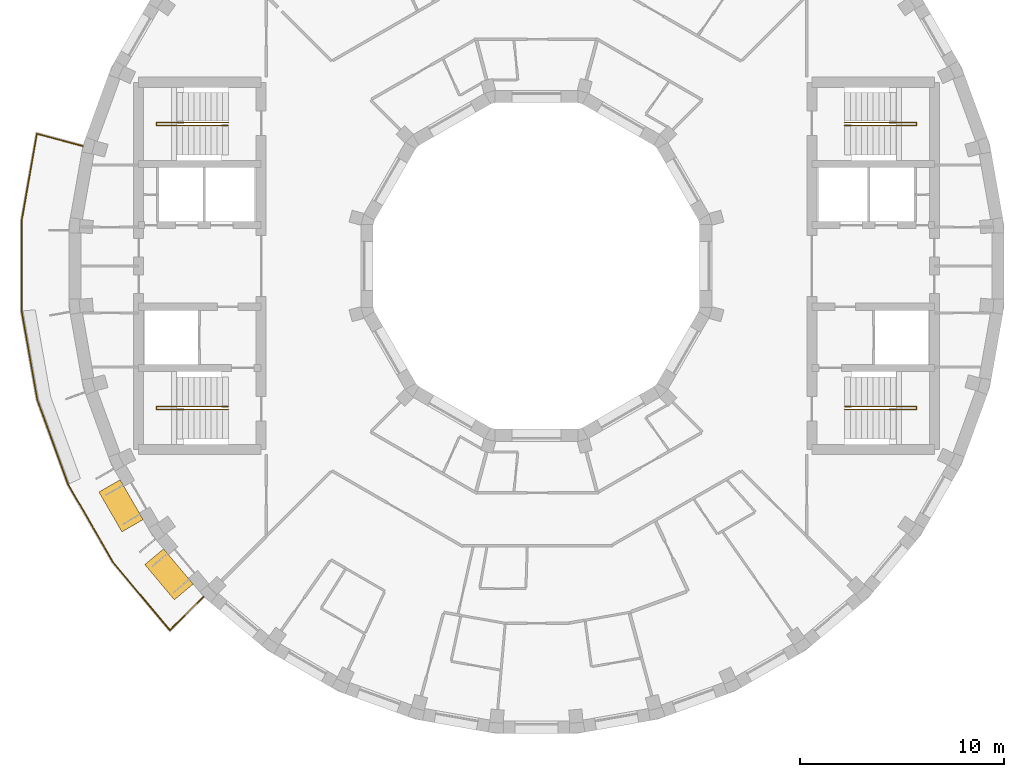
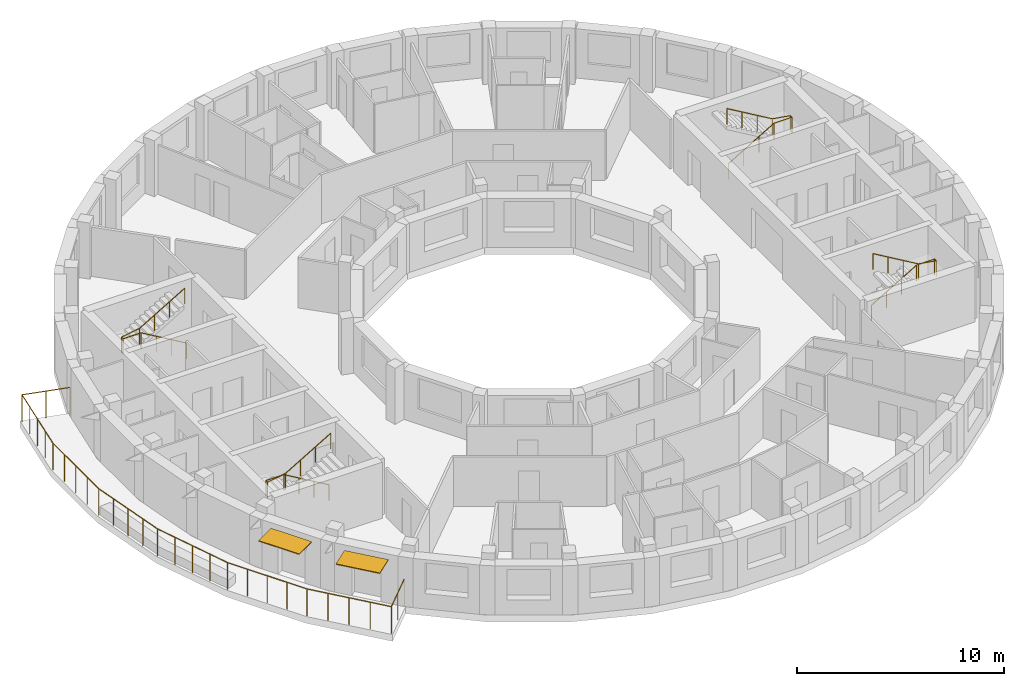
# One storey, part 10 of 10: 5 railings, 2 shading devices.
"""IFC4 building model written with IfcOpenShell, lengths in metres."""

from ifc_helpers import new_model, si_unit, direction, frame, origin, origin_2d, place, context, subcontext, project, spatial, rectangle, circle, extrude, material, layer, layer_set, type_object, element, save


model = new_model("IFC4")

# Units and contexts
model_context = context("Model", 3, precision=1e-05, world=origin(), true_north=direction((0.0, 1.0)))
body_context = subcontext(model_context, "Body", "Model", "MODEL_VIEW")
ifc_project = project(units=[si_unit("LENGTHUNIT", "METRE"), si_unit("AREAUNIT", "SQUARE_METRE"), si_unit("VOLUMEUNIT", "CUBIC_METRE"), si_unit("PLANEANGLEUNIT", "RADIAN"), si_unit("MASSUNIT", "GRAM", prefix="KILO")], contexts=[model_context])

# Site, building, storey
site_placement = place(None, origin())
site = spatial("IfcSite", under=ifc_project, at=site_placement, CompositionType="ELEMENT")
building_placement = place(site_placement, origin())
building = spatial("IfcBuilding", under=site, at=building_placement, Name="Saqina Gate Tower", CompositionType="ELEMENT")
storey_placement = place(building_placement, frame((0.0, 0.0, 252.800048828125)))
storey = spatial("IfcBuildingStorey", under=building, at=storey_placement, Name="L72", CompositionType="ELEMENT", Elevation=252.800048828125)

# Shading devices
ifc_material_1 = material(Name="Aluminium and fabric awning", Category="aluminium")
ifc_layer = layer(ifc_material_1, 0.050048828125)
ifc_layer_set = layer_set([ifc_layer], Name="AW-TERRACE")
shading_device_type = type_object("IfcShadingDeviceType", Name="AW-TERRACE", PredefinedType="AWNING", material=ifc_layer_set)
for number, where, z_axis, x_axis, name in (
    (1, (-20.3623046875, -11.756103515625, 2.52490234375), (0.0, 0.0, 1.0), (0.5, -0.866025403784, 0.0), "Terrace awning L72 facet 21"),
    (2, (-18.01171875, -15.113525390625, 2.52490234375), (0.0, 0.0, 1.0), (0.642787609687, -0.766044443119, 0.0), "Terrace awning L72 facet 22"),
):
    element("IfcShadingDevice", number, at=place(storey_placement, frame(where, z_axis=z_axis, x_axis=x_axis)), inside=storey, type_object=shading_device_type, Name=name, PredefinedType="AWNING", context=body_context, shape_type="SweptSolid", body=[
        extrude(rectangle(XDim=2.251708984375, YDim=1.199951171875, at=origin_2d()), origin(), (0.0, 0.0, 1.0), 0.050048828125),
    ])

# Railings
ifc_material_2 = material(Name="Stainless steel", Category="steel")
railing_type_1 = type_object("IfcRailingType", Name="RL-TERRACE", PredefinedType="GUARDRAIL", material=ifc_material_2)
railing_1_placement = place(storey_placement, frame((-22.178955078125, 5.860107421875, 0.0)))
element("IfcRailing", 3, at=railing_1_placement, inside=storey, type_object=railing_type_1, Name="Terrace guard L72", PredefinedType="GUARDRAIL", context=body_context, shape_type="SweptSolid", body=[
    extrude(circle(Radius=0.02392578125, at=origin_2d()), frame((0.0, 0.0, 1.576171875), z_axis=(-0.96594257821, 0.258756517988, 0.0), x_axis=(-0.258756517988, -0.96594257821, 0.0)), (0.0, 0.0, 1.0), 2.388916015625),
    extrude(circle(Radius=0.02392578125, at=origin_2d()), frame((-2.3076171875, 0.6181640625, 1.576171875), z_axis=(-0.172037454969, -0.985090409093, 0.0), x_axis=(0.985090409093, -0.172037454969, 0.0)), (0.0, 0.0, 1.0), 4.33544921875),
    extrude(circle(Radius=0.02392578125, at=origin_2d()), frame((-3.053466796875, -3.652587890625, 1.576171875), z_axis=(0.0, -1.0, 0.0), x_axis=(1.0, 0.0, 0.0)), (0.0, 0.0, 1.0), 4.4150390625),
    extrude(circle(Radius=0.02392578125, at=origin_2d()), frame((-3.053466796875, -8.067626953125, 1.576171875), z_axis=(0.173627609853, -0.984811379451, 0.0), x_axis=(0.984811379451, 0.173627609853, 0.0)), (0.0, 0.0, 1.0), 4.415283203125),
    extrude(circle(Radius=0.02392578125, at=origin_2d()), frame((-2.286865234375, -12.415771484375, 1.576171875), z_axis=(0.342022770825, -0.93969166445, 0.0), x_axis=(0.93969166445, 0.342022770825, 0.0)), (0.0, 0.0, 1.0), 4.4150390625),
    extrude(circle(Radius=0.02392578125, at=origin_2d()), frame((-0.77685546875, -16.564453125, 1.576171875), z_axis=(0.49998092645, -0.866036415623, 0.0), x_axis=(0.866036415623, 0.49998092645, 0.0)), (0.0, 0.0, 1.0), 4.415283203125),
    extrude(circle(Radius=0.02392578125, at=origin_2d()), frame((1.4306640625, -20.38818359375, 1.576171875), z_axis=(0.641584720745, -0.76705217952, 0.0), x_axis=(0.76705217952, 0.641584720745, 0.0)), (0.0, 0.0, 1.0), 4.33544921875),
    extrude(circle(Radius=0.02392578125, at=origin_2d()), frame((4.212158203125, -23.713623046875, 1.576171875), z_axis=(0.707157881947, 0.707055676733, 0.0), x_axis=(-0.707055676733, 0.707157881947, 0.0)), (0.0, 0.0, 1.0), 2.388671875),
    extrude(circle(Radius=0.02099609375, at=origin_2d()), origin(), (0.0, 0.0, 1.0), 1.552001953125),
    extrude(circle(Radius=0.02099609375, at=origin_2d()), frame((-1.15380859375, 0.30908203125, 0.0)), (0.0, 0.0, 1.0), 1.552001953125),
    extrude(circle(Radius=0.02099609375, at=origin_2d()), frame((-2.3076171875, 0.6181640625, 0.0)), (0.0, 0.0, 1.0), 1.552001953125),
    extrude(circle(Radius=0.02099609375, at=origin_2d()), frame((-2.494140625, -0.449462890625, 0.0)), (0.0, 0.0, 1.0), 1.552001953125),
    extrude(circle(Radius=0.02099609375, at=origin_2d()), frame((-2.6806640625, -1.51708984375, 0.0)), (0.0, 0.0, 1.0), 1.552001953125),
    extrude(circle(Radius=0.02099609375, at=origin_2d()), frame((-2.866943359375, -2.5849609375, 0.0)), (0.0, 0.0, 1.0), 1.552001953125),
    extrude(circle(Radius=0.02099609375, at=origin_2d()), frame((-3.053466796875, -3.652587890625, 0.0)), (0.0, 0.0, 1.0), 1.552001953125),
    extrude(circle(Radius=0.02099609375, at=origin_2d()), frame((-3.053466796875, -4.75634765625, 0.0)), (0.0, 0.0, 1.0), 1.552001953125),
    extrude(circle(Radius=0.02099609375, at=origin_2d()), frame((-3.053466796875, -5.860107421875, 0.0)), (0.0, 0.0, 1.0), 1.552001953125),
    extrude(circle(Radius=0.02099609375, at=origin_2d()), frame((-3.053466796875, -6.9638671875, 0.0)), (0.0, 0.0, 1.0), 1.552001953125),
    extrude(circle(Radius=0.02099609375, at=origin_2d()), frame((-3.053466796875, -8.067626953125, 0.0)), (0.0, 0.0, 1.0), 1.552001953125),
    extrude(circle(Radius=0.02099609375, at=origin_2d()), frame((-2.86181640625, -9.15478515625, 0.0)), (0.0, 0.0, 1.0), 1.552001953125),
    extrude(circle(Radius=0.02099609375, at=origin_2d()), frame((-2.670166015625, -10.24169921875, 0.0)), (0.0, 0.0, 1.0), 1.552001953125),
    extrude(circle(Radius=0.02099609375, at=origin_2d()), frame((-2.478515625, -11.32861328125, 0.0)), (0.0, 0.0, 1.0), 1.552001953125),
    extrude(circle(Radius=0.02099609375, at=origin_2d()), frame((-2.286865234375, -12.415771484375, 0.0)), (0.0, 0.0, 1.0), 1.552001953125),
    extrude(circle(Radius=0.02099609375, at=origin_2d()), frame((-1.909423828125, -13.452880859375, 0.0)), (0.0, 0.0, 1.0), 1.552001953125),
    extrude(circle(Radius=0.02099609375, at=origin_2d()), frame((-1.53173828125, -14.490234375, 0.0)), (0.0, 0.0, 1.0), 1.552001953125),
    extrude(circle(Radius=0.02099609375, at=origin_2d()), frame((-1.154296875, -15.52734375, 0.0)), (0.0, 0.0, 1.0), 1.552001953125),
    extrude(circle(Radius=0.02099609375, at=origin_2d()), frame((-0.77685546875, -16.564453125, 0.0)), (0.0, 0.0, 1.0), 1.552001953125),
    extrude(circle(Radius=0.02099609375, at=origin_2d()), frame((-0.22509765625, -17.5205078125, 0.0)), (0.0, 0.0, 1.0), 1.552001953125),
    extrude(circle(Radius=0.02099609375, at=origin_2d()), frame((0.326904296875, -18.476318359375, 0.0)), (0.0, 0.0, 1.0), 1.552001953125),
    extrude(circle(Radius=0.02099609375, at=origin_2d()), frame((0.87890625, -19.43212890625, 0.0)), (0.0, 0.0, 1.0), 1.552001953125),
    extrude(circle(Radius=0.02099609375, at=origin_2d()), frame((1.4306640625, -20.38818359375, 0.0)), (0.0, 0.0, 1.0), 1.552001953125),
    extrude(circle(Radius=0.02099609375, at=origin_2d()), frame((2.1259765625, -21.219482421875, 0.0)), (0.0, 0.0, 1.0), 1.552001953125),
    extrude(circle(Radius=0.02099609375, at=origin_2d()), frame((2.8212890625, -22.05078125, 0.0)), (0.0, 0.0, 1.0), 1.552001953125),
    extrude(circle(Radius=0.02099609375, at=origin_2d()), frame((3.516845703125, -22.88232421875, 0.0)), (0.0, 0.0, 1.0), 1.552001953125),
    extrude(circle(Radius=0.02099609375, at=origin_2d()), frame((4.212158203125, -23.713623046875, 0.0)), (0.0, 0.0, 1.0), 1.552001953125),
    extrude(circle(Radius=0.02099609375, at=origin_2d()), frame((5.056640625, -22.869140625, 0.0)), (0.0, 0.0, 1.0), 1.552001953125),
    extrude(circle(Radius=0.02099609375, at=origin_2d()), frame((5.9013671875, -22.024658203125, 0.0)), (0.0, 0.0, 1.0), 1.552001953125),
])
ifc_material_3 = material(Name="Stainless steel", Category="steel")
railing_type_2 = type_object("IfcRailingType", Name="STAIR HANDRAIL", PredefinedType="HANDRAIL", material=ifc_material_3)
railing_2_placement = place(storey_placement, frame((15.10009765625, 6.88330078125, 0.1650390625)))
element("IfcRailing", 4, at=railing_2_placement, inside=storey, type_object=railing_type_2, Name="EXIT STAIR 1 HANDRAIL", PredefinedType="HANDRAIL", context=body_context, shape_type="SweptSolid", body=[
    extrude(circle(Radius=0.02392578125, at=origin_2d()), frame((0.0, 0.0, 0.92578125), z_axis=(0.861560626758, 0.0, 0.507654692109), x_axis=(0.0, 1.0, 0.0)), (0.0, 0.0, 1.0), 2.925048828125),
    extrude(circle(Radius=0.02392578125, at=origin_2d()), frame((2.52001953125, 0.0, 2.41064453125), z_axis=(1.0, 0.0, 0.0), x_axis=(0.0, 1.0, 0.0)), (0.0, 0.0, 1.0), 1.0),
    extrude(circle(Radius=0.02392578125, at=origin_2d()), frame((3.52001953125, 0.0, 2.41064453125), z_axis=(0.0, 1.0, 0.0), x_axis=(-1.0, 0.0, 0.0)), (0.0, 0.0, 1.0), 0.158447265625),
    extrude(circle(Radius=0.02392578125, at=origin_2d()), frame((3.52001953125, 0.158447265625, 2.41064453125), z_axis=(-0.98665309941, 0.0, 0.162836302539), x_axis=(0.0, -1.0, 0.0)), (0.0, 0.0, 1.0), 1.013427734375),
    extrude(circle(Radius=0.02392578125, at=origin_2d()), frame((2.52001953125, 0.158447265625, 2.57568359375), z_axis=(-0.86152411907, 0.0, 0.507716645641), x_axis=(0.0, -1.0, 0.0)), (0.0, 0.0, 1.0), 2.925048828125),
    extrude(circle(Radius=0.02099609375, at=origin_2d()), origin(), (0.0, 0.0, 1.0), 0.90185546875),
    extrude(circle(Radius=0.02099609375, at=origin_2d()), frame((0.840087890625, 0.0, 0.494873046875)), (0.0, 0.0, 1.0), 0.90185546875),
    extrude(circle(Radius=0.02099609375, at=origin_2d()), frame((1.679931640625, 0.0, 0.989990234375)), (0.0, 0.0, 1.0), 0.90185546875),
    extrude(circle(Radius=0.02099609375, at=origin_2d()), frame((2.52001953125, 0.0, 1.48486328125)), (0.0, 0.0, 1.0), 0.90185546875),
    extrude(circle(Radius=0.02099609375, at=origin_2d()), frame((3.52001953125, 0.0, 1.48486328125)), (0.0, 0.0, 1.0), 0.90185546875),
    extrude(circle(Radius=0.02099609375, at=origin_2d()), frame((3.52001953125, 0.158447265625, 1.48486328125)), (0.0, 0.0, 1.0), 0.90185546875),
    extrude(circle(Radius=0.02099609375, at=origin_2d()), frame((2.52001953125, 0.158447265625, 1.64990234375)), (0.0, 0.0, 1.0), 0.90185546875),
    extrude(circle(Radius=0.02099609375, at=origin_2d()), frame((1.679931640625, 0.158447265625, 2.14501953125)), (0.0, 0.0, 1.0), 0.90185546875),
    extrude(circle(Radius=0.02099609375, at=origin_2d()), frame((0.840087890625, 0.158447265625, 2.639892578125)), (0.0, 0.0, 1.0), 0.90185546875),
    extrude(circle(Radius=0.02099609375, at=origin_2d()), frame((0.0, 0.158447265625, 3.135009765625)), (0.0, 0.0, 1.0), 0.90185546875),
])
railing_3_placement = place(storey_placement, frame((15.10009765625, -6.88330078125, 0.1650390625)))
element("IfcRailing", 5, at=railing_3_placement, inside=storey, type_object=railing_type_2, Name="EXIT STAIR 2 HANDRAIL", PredefinedType="HANDRAIL", context=body_context, shape_type="SweptSolid", body=[
    extrude(circle(Radius=0.02392578125, at=origin_2d()), frame((0.0, 0.0, 0.92578125), z_axis=(0.861560626758, 0.0, 0.507654692109), x_axis=(0.0, 1.0, 0.0)), (0.0, 0.0, 1.0), 2.925048828125),
    extrude(circle(Radius=0.02392578125, at=origin_2d()), frame((2.52001953125, 0.0, 2.41064453125), z_axis=(1.0, 0.0, 0.0), x_axis=(0.0, 1.0, 0.0)), (0.0, 0.0, 1.0), 1.0),
    extrude(circle(Radius=0.02392578125, at=origin_2d()), frame((3.52001953125, 0.0, 2.41064453125), z_axis=(0.0, -1.0, 0.0), x_axis=(1.0, 0.0, 0.0)), (0.0, 0.0, 1.0), 0.158447265625),
    extrude(circle(Radius=0.02392578125, at=origin_2d()), frame((3.52001953125, -0.158447265625, 2.41064453125), z_axis=(-0.98665309941, 0.0, 0.162836302539), x_axis=(0.0, -1.0, 0.0)), (0.0, 0.0, 1.0), 1.013427734375),
    extrude(circle(Radius=0.02392578125, at=origin_2d()), frame((2.52001953125, -0.158447265625, 2.57568359375), z_axis=(-0.86152411907, 0.0, 0.507716645641), x_axis=(0.0, -1.0, 0.0)), (0.0, 0.0, 1.0), 2.925048828125),
    extrude(circle(Radius=0.02099609375, at=origin_2d()), origin(), (0.0, 0.0, 1.0), 0.90185546875),
    extrude(circle(Radius=0.02099609375, at=origin_2d()), frame((0.840087890625, 0.0, 0.494873046875)), (0.0, 0.0, 1.0), 0.90185546875),
    extrude(circle(Radius=0.02099609375, at=origin_2d()), frame((1.679931640625, 0.0, 0.989990234375)), (0.0, 0.0, 1.0), 0.90185546875),
    extrude(circle(Radius=0.02099609375, at=origin_2d()), frame((2.52001953125, 0.0, 1.48486328125)), (0.0, 0.0, 1.0), 0.90185546875),
    extrude(circle(Radius=0.02099609375, at=origin_2d()), frame((3.52001953125, 0.0, 1.48486328125)), (0.0, 0.0, 1.0), 0.90185546875),
    extrude(circle(Radius=0.02099609375, at=origin_2d()), frame((3.52001953125, -0.158447265625, 1.48486328125)), (0.0, 0.0, 1.0), 0.90185546875),
    extrude(circle(Radius=0.02099609375, at=origin_2d()), frame((2.52001953125, -0.158447265625, 1.64990234375)), (0.0, 0.0, 1.0), 0.90185546875),
    extrude(circle(Radius=0.02099609375, at=origin_2d()), frame((1.679931640625, -0.158447265625, 2.14501953125)), (0.0, 0.0, 1.0), 0.90185546875),
    extrude(circle(Radius=0.02099609375, at=origin_2d()), frame((0.840087890625, -0.158447265625, 2.639892578125)), (0.0, 0.0, 1.0), 0.90185546875),
    extrude(circle(Radius=0.02099609375, at=origin_2d()), frame((0.0, -0.158447265625, 3.135009765625)), (0.0, 0.0, 1.0), 0.90185546875),
])
railing_4_placement = place(storey_placement, frame((-15.10009765625, 6.88330078125, 0.1650390625)))
element("IfcRailing", 6, at=railing_4_placement, inside=storey, type_object=railing_type_2, Name="EXIT STAIR 3 HANDRAIL", PredefinedType="HANDRAIL", context=body_context, shape_type="SweptSolid", body=[
    extrude(circle(Radius=0.02392578125, at=origin_2d()), frame((0.0, 0.0, 0.92578125), z_axis=(-0.861560626758, 0.0, 0.507654692109), x_axis=(0.0, -1.0, 0.0)), (0.0, 0.0, 1.0), 2.925048828125),
    extrude(circle(Radius=0.02392578125, at=origin_2d()), frame((-2.52001953125, 0.0, 2.41064453125), z_axis=(-1.0, 0.0, 0.0), x_axis=(0.0, -1.0, 0.0)), (0.0, 0.0, 1.0), 1.0),
    extrude(circle(Radius=0.02392578125, at=origin_2d()), frame((-3.52001953125, 0.0, 2.41064453125), z_axis=(0.0, 1.0, 0.0), x_axis=(-1.0, 0.0, 0.0)), (0.0, 0.0, 1.0), 0.158447265625),
    extrude(circle(Radius=0.02392578125, at=origin_2d()), frame((-3.52001953125, 0.158447265625, 2.41064453125), z_axis=(0.98665309941, 0.0, 0.162836302539), x_axis=(0.0, 1.0, 0.0)), (0.0, 0.0, 1.0), 1.013427734375),
    extrude(circle(Radius=0.02392578125, at=origin_2d()), frame((-2.52001953125, 0.158447265625, 2.57568359375), z_axis=(0.86152411907, 0.0, 0.507716645641), x_axis=(0.0, 1.0, 0.0)), (0.0, 0.0, 1.0), 2.925048828125),
    extrude(circle(Radius=0.02099609375, at=origin_2d()), origin(), (0.0, 0.0, 1.0), 0.90185546875),
    extrude(circle(Radius=0.02099609375, at=origin_2d()), frame((-0.840087890625, 0.0, 0.494873046875)), (0.0, 0.0, 1.0), 0.90185546875),
    extrude(circle(Radius=0.02099609375, at=origin_2d()), frame((-1.679931640625, 0.0, 0.989990234375)), (0.0, 0.0, 1.0), 0.90185546875),
    extrude(circle(Radius=0.02099609375, at=origin_2d()), frame((-2.52001953125, 0.0, 1.48486328125)), (0.0, 0.0, 1.0), 0.90185546875),
    extrude(circle(Radius=0.02099609375, at=origin_2d()), frame((-3.52001953125, 0.0, 1.48486328125)), (0.0, 0.0, 1.0), 0.90185546875),
    extrude(circle(Radius=0.02099609375, at=origin_2d()), frame((-3.52001953125, 0.158447265625, 1.48486328125)), (0.0, 0.0, 1.0), 0.90185546875),
    extrude(circle(Radius=0.02099609375, at=origin_2d()), frame((-2.52001953125, 0.158447265625, 1.64990234375)), (0.0, 0.0, 1.0), 0.90185546875),
    extrude(circle(Radius=0.02099609375, at=origin_2d()), frame((-1.679931640625, 0.158447265625, 2.14501953125)), (0.0, 0.0, 1.0), 0.90185546875),
    extrude(circle(Radius=0.02099609375, at=origin_2d()), frame((-0.840087890625, 0.158447265625, 2.639892578125)), (0.0, 0.0, 1.0), 0.90185546875),
    extrude(circle(Radius=0.02099609375, at=origin_2d()), frame((0.0, 0.158447265625, 3.135009765625)), (0.0, 0.0, 1.0), 0.90185546875),
])
railing_5_placement = place(storey_placement, frame((-15.10009765625, -6.88330078125, 0.1650390625)))
element("IfcRailing", 7, at=railing_5_placement, inside=storey, type_object=railing_type_2, Name="EXIT STAIR 4 HANDRAIL", PredefinedType="HANDRAIL", context=body_context, shape_type="SweptSolid", body=[
    extrude(circle(Radius=0.02392578125, at=origin_2d()), frame((0.0, 0.0, 0.92578125), z_axis=(-0.861560626758, 0.0, 0.507654692109), x_axis=(0.0, -1.0, 0.0)), (0.0, 0.0, 1.0), 2.925048828125),
    extrude(circle(Radius=0.02392578125, at=origin_2d()), frame((-2.52001953125, 0.0, 2.41064453125), z_axis=(-1.0, 0.0, 0.0), x_axis=(0.0, -1.0, 0.0)), (0.0, 0.0, 1.0), 1.0),
    extrude(circle(Radius=0.02392578125, at=origin_2d()), frame((-3.52001953125, 0.0, 2.41064453125), z_axis=(0.0, -1.0, 0.0), x_axis=(1.0, 0.0, 0.0)), (0.0, 0.0, 1.0), 0.158447265625),
    extrude(circle(Radius=0.02392578125, at=origin_2d()), frame((-3.52001953125, -0.158447265625, 2.41064453125), z_axis=(0.98665309941, 0.0, 0.162836302539), x_axis=(0.0, 1.0, 0.0)), (0.0, 0.0, 1.0), 1.013427734375),
    extrude(circle(Radius=0.02392578125, at=origin_2d()), frame((-2.52001953125, -0.158447265625, 2.57568359375), z_axis=(0.86152411907, 0.0, 0.507716645641), x_axis=(0.0, 1.0, 0.0)), (0.0, 0.0, 1.0), 2.925048828125),
    extrude(circle(Radius=0.02099609375, at=origin_2d()), origin(), (0.0, 0.0, 1.0), 0.90185546875),
    extrude(circle(Radius=0.02099609375, at=origin_2d()), frame((-0.840087890625, 0.0, 0.494873046875)), (0.0, 0.0, 1.0), 0.90185546875),
    extrude(circle(Radius=0.02099609375, at=origin_2d()), frame((-1.679931640625, 0.0, 0.989990234375)), (0.0, 0.0, 1.0), 0.90185546875),
    extrude(circle(Radius=0.02099609375, at=origin_2d()), frame((-2.52001953125, 0.0, 1.48486328125)), (0.0, 0.0, 1.0), 0.90185546875),
    extrude(circle(Radius=0.02099609375, at=origin_2d()), frame((-3.52001953125, 0.0, 1.48486328125)), (0.0, 0.0, 1.0), 0.90185546875),
    extrude(circle(Radius=0.02099609375, at=origin_2d()), frame((-3.52001953125, -0.158447265625, 1.48486328125)), (0.0, 0.0, 1.0), 0.90185546875),
    extrude(circle(Radius=0.02099609375, at=origin_2d()), frame((-2.52001953125, -0.158447265625, 1.64990234375)), (0.0, 0.0, 1.0), 0.90185546875),
    extrude(circle(Radius=0.02099609375, at=origin_2d()), frame((-1.679931640625, -0.158447265625, 2.14501953125)), (0.0, 0.0, 1.0), 0.90185546875),
    extrude(circle(Radius=0.02099609375, at=origin_2d()), frame((-0.840087890625, -0.158447265625, 2.639892578125)), (0.0, 0.0, 1.0), 0.90185546875),
    extrude(circle(Radius=0.02099609375, at=origin_2d()), frame((0.0, -0.158447265625, 3.135009765625)), (0.0, 0.0, 1.0), 0.90185546875),
])

save(model, "model.ifc")
